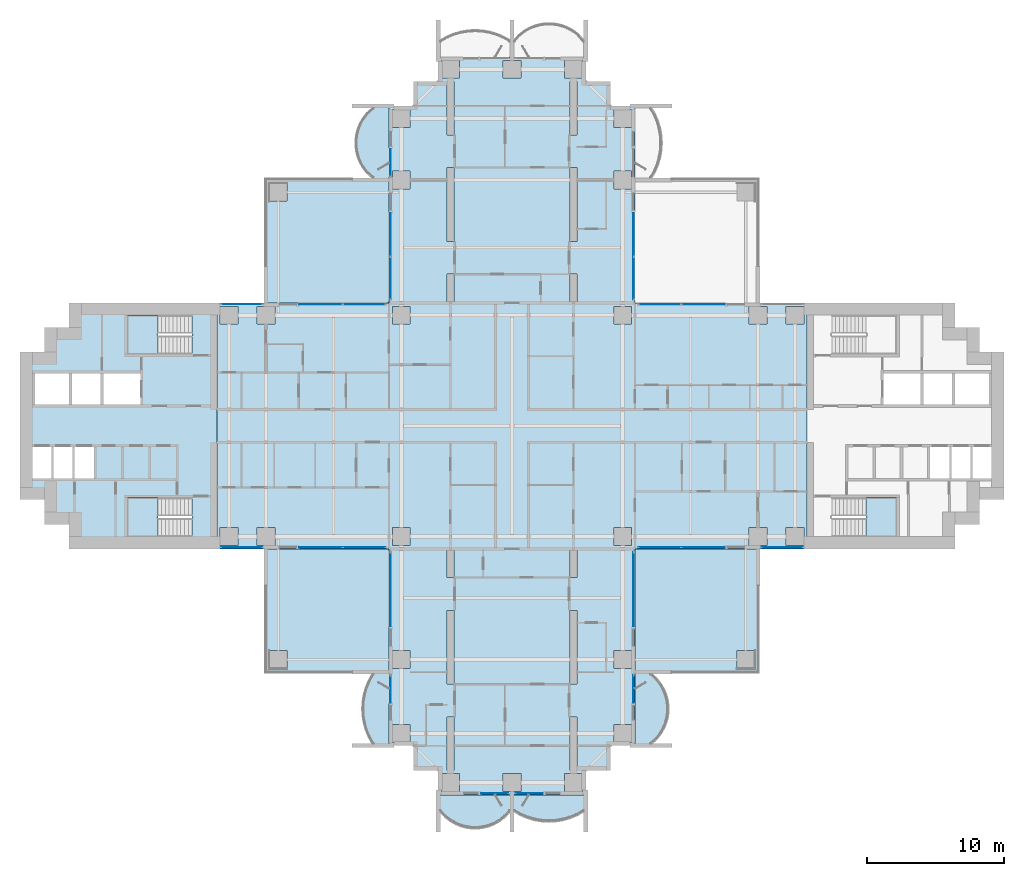
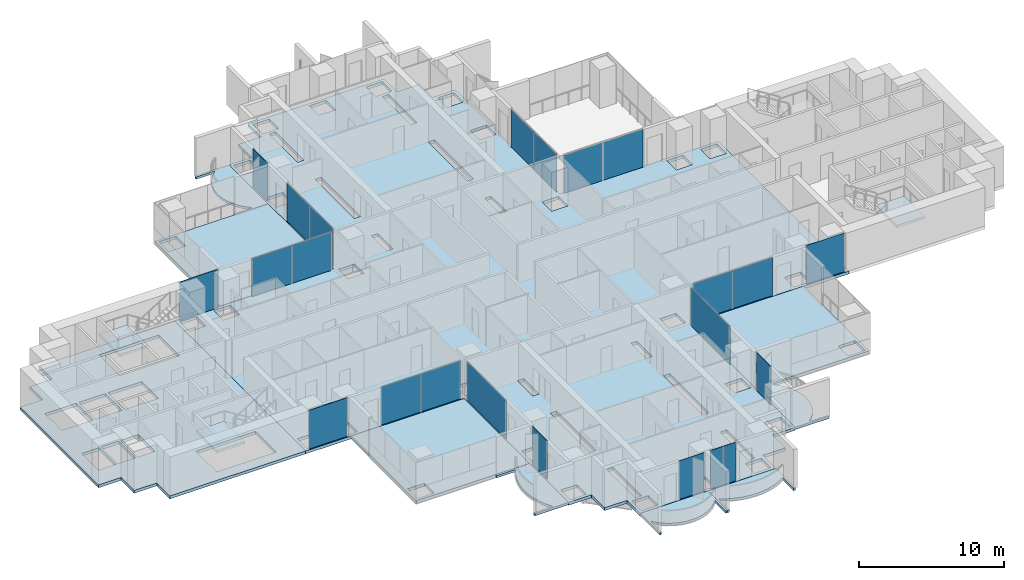
# One storey, part 8 of 21: 22 plates, 13 slabs, 19 elements without a shape of their own.
"""IFC4 building model written with IfcOpenShell, lengths in metres."""

from ifc_helpers import new_model, si_unit, direction, frame, origin, origin_2d, place, context, subcontext, project, spatial, polyline, rectangle, outline, extrude, material, layer, layer_set, type_object, element, aggregate, save


model = new_model("IFC4")

# Units and contexts
model_context = context("Model", 3, precision=1e-05, world=origin(), true_north=direction((0.0, 1.0)))
body_context = subcontext(model_context, "Body", "Model", "MODEL_VIEW")
ifc_project = project(units=[si_unit("LENGTHUNIT", "METRE"), si_unit("AREAUNIT", "SQUARE_METRE"), si_unit("VOLUMEUNIT", "CUBIC_METRE"), si_unit("PLANEANGLEUNIT", "RADIAN"), si_unit("MASSUNIT", "GRAM", prefix="KILO")], contexts=[model_context])

# Site, building, storey
site_placement = place(None, origin())
site = spatial("IfcSite", under=ifc_project, at=site_placement, CompositionType="ELEMENT")
building_placement = place(site_placement, origin())
building = spatial("IfcBuilding", under=site, at=building_placement, Name="Perihelion Cross Residences", CompositionType="ELEMENT")
storey_placement = place(building_placement, frame((0.0, 0.0, 40.0)))
storey = spatial("IfcBuildingStorey", under=building, at=storey_placement, Name="L06", CompositionType="ELEMENT", Elevation=40.0)

# Slabs
ifc_material_1 = material(Name="Concrete C40/50", Category="concrete")
ifc_layer_1 = layer(ifc_material_1, 0.199951171875)
ifc_layer_set_1 = layer_set([ifc_layer_1], Name="Balcony slab 200")
slab_type_1 = type_object("IfcSlabType", Name="Balcony slab 200", PredefinedType="FLOOR", material=ifc_layer_set_1)
slab_1_placement = place(storey_placement, frame((0.0, 0.0, -0.199951171875)))
element("IfcSlab", 1, at=slab_1_placement, inside=storey, type_object=slab_type_1, Name="Slab BK1 L06 north side west bay 1 balcony", PredefinedType="FLOOR", context=body_context, shape_type="SweptSolid", body=[
    extrude(outline(polyline([(-9.0, 23.39990234375), (-9.0, 18.0), (-11.699951171875, 18.0), (-11.699951171875, 18.14990234375), (-10.199951171875, 18.14990234375), (-10.622314453125, 18.542236328125), (-10.924072265625, 18.9345703125), (-11.143310546875, 19.326904296875), (-11.29736328125, 19.71923828125), (-11.39599609375, 20.111572265625), (-11.444091796875, 20.50390625), (-11.444091796875, 20.896240234375), (-11.39599609375, 21.28857421875), (-11.29736328125, 21.6806640625), (-11.143310546875, 22.072998046875), (-10.924072265625, 22.46533203125), (-10.622314453125, 22.857666015625), (-10.199951171875, 23.25), (-11.699951171875, 23.25), (-11.699951171875, 23.39990234375), (-9.0, 23.39990234375)])), origin(), (0.0, 0.0, 1.0), 0.199951171875),
])
slab_2_placement = place(storey_placement, frame((0.0, 0.0, -0.199951171875)))
element("IfcSlab", 2, at=slab_2_placement, inside=storey, type_object=slab_type_1, Name="Slab BK1 L06 south side west bay 2 balcony", PredefinedType="FLOOR", context=body_context, shape_type="SweptSolid", body=[
    extrude(outline(polyline([(-9.0, -18.0), (-9.0, -23.39990234375), (-11.699951171875, -23.39990234375), (-11.699951171875, -23.25), (-10.199951171875, -23.25), (-10.4853515625, -22.739990234375), (-10.694580078125, -22.22998046875), (-10.838134765625, -21.719970703125), (-10.92236328125, -21.2099609375), (-10.949951171875, -20.699951171875), (-10.92236328125, -20.18994140625), (-10.838134765625, -19.679931640625), (-10.694580078125, -19.169921875), (-10.4853515625, -18.659912109375), (-10.199951171875, -18.14990234375), (-11.699951171875, -18.14990234375), (-11.699951171875, -18.0), (-9.0, -18.0)])), origin(), (0.0, 0.0, 1.0), 0.199951171875),
])
slab_3_placement = place(storey_placement, frame((0.0, 0.0, -0.199951171875)))
element("IfcSlab", 3, at=slab_3_placement, inside=storey, type_object=slab_type_1, Name="Slab BK1 L06 south tip south bay 1 balcony", PredefinedType="FLOOR", context=body_context, shape_type="SweptSolid", body=[
    extrude(outline(polyline([(-5.39990234375, -27.0), (0.0, -27.0), (0.0, -29.699951171875), (-0.14990234375, -29.699951171875), (-0.14990234375, -28.199951171875), (-0.542236328125, -28.622314453125), (-0.9345703125, -28.924072265625), (-1.326904296875, -29.143310546875), (-1.71923828125, -29.29736328125), (-2.111572265625, -29.39599609375), (-2.50390625, -29.444091796875), (-2.896240234375, -29.444091796875), (-3.28857421875, -29.39599609375), (-3.6806640625, -29.29736328125), (-4.072998046875, -29.143310546875), (-4.46533203125, -28.924072265625), (-4.857666015625, -28.622314453125), (-5.25, -28.199951171875), (-5.25, -29.699951171875), (-5.39990234375, -29.699951171875), (-5.39990234375, -27.0)])), origin(), (0.0, 0.0, 1.0), 0.199951171875),
])
slab_4_placement = place(storey_placement, frame((0.0, 0.0, -0.199951171875)))
element("IfcSlab", 4, at=slab_4_placement, inside=storey, type_object=slab_type_1, Name="Slab BK1 L06 south tip south bay 2 balcony", PredefinedType="FLOOR", context=body_context, shape_type="SweptSolid", body=[
    extrude(outline(polyline([(0.0, -27.0), (5.39990234375, -27.0), (5.39990234375, -29.699951171875), (5.25, -29.699951171875), (5.25, -28.199951171875), (4.739990234375, -28.4853515625), (4.22998046875, -28.694580078125), (3.719970703125, -28.838134765625), (3.2099609375, -28.92236328125), (2.699951171875, -28.949951171875), (2.18994140625, -28.92236328125), (1.679931640625, -28.838134765625), (1.169921875, -28.694580078125), (0.659912109375, -28.4853515625), (0.14990234375, -28.199951171875), (0.14990234375, -29.699951171875), (0.0, -29.699951171875), (0.0, -27.0)])), origin(), (0.0, 0.0, 1.0), 0.199951171875),
])
slab_5_placement = place(storey_placement, frame((0.0, 0.0, -0.199951171875)))
element("IfcSlab", 5, at=slab_5_placement, inside=storey, type_object=slab_type_1, Name="Slab BK1 L06 south side east bay 1 balcony", PredefinedType="FLOOR", context=body_context, shape_type="SweptSolid", body=[
    extrude(outline(polyline([(9.0, -23.39990234375), (9.0, -18.0), (11.699951171875, -18.0), (11.699951171875, -18.14990234375), (10.199951171875, -18.14990234375), (10.622314453125, -18.542236328125), (10.924072265625, -18.9345703125), (11.143310546875, -19.326904296875), (11.29736328125, -19.71923828125), (11.39599609375, -20.111572265625), (11.444091796875, -20.50390625), (11.444091796875, -20.896240234375), (11.39599609375, -21.28857421875), (11.29736328125, -21.6806640625), (11.143310546875, -22.072998046875), (10.924072265625, -22.46533203125), (10.622314453125, -22.857666015625), (10.199951171875, -23.25), (11.699951171875, -23.25), (11.699951171875, -23.39990234375), (9.0, -23.39990234375)])), origin(), (0.0, 0.0, 1.0), 0.199951171875),
])

# Curtain wall, plates
ifc_material_2 = material(Name="Bronze anodised aluminium, tinted glazing", Category="aluminium")
curtain_wall_type = type_object("IfcCurtainWallType", Name="CW1", PredefinedType="NOTDEFINED", material=ifc_material_2)
curtain_wall_1_placement = place(storey_placement, origin())
curtain_wall_1 = element("IfcCurtainWall", 6, at=curtain_wall_1_placement, inside=storey, type_object=curtain_wall_type, Name="Curtain wall CW1 L06 east side north bay 2", PredefinedType="NOTDEFINED")
ifc_material_3 = material(Name="Tinted laminated glass", Category="glass")
ifc_layer_2 = layer(ifc_material_3, 0.028076171875)
ifc_layer_set_2 = layer_set([ifc_layer_2], Name="CW1 panel")
plate_type = type_object("IfcPlateType", Name="CW1 panel", PredefinedType="CURTAIN_PANEL", material=ifc_layer_set_2)
plate_1_placement = place(storey_placement, frame((13.9775390625, 8.89990234375, 0.0), z_axis=(0.0, 0.0, 1.0), x_axis=(-1.0, 0.0, 0.0)))
plate_1 = element("IfcPlate", 7, at=plate_1_placement, type_object=plate_type, Name="CW1 panel 1", PredefinedType="CURTAIN_PANEL", context=body_context, shape_type="SweptSolid", body=[
    extrude(rectangle(XDim=3.14501953125, YDim=0.028076171875, at=origin_2d()), origin(), (0.0, 0.0, 1.0), 3.18994140625),
])
plate_2_placement = place(storey_placement, frame((10.802490234375, 8.89990234375, 0.0), z_axis=(0.0, 0.0, 1.0), x_axis=(-1.0, 0.0, 0.0)))
plate_2 = element("IfcPlate", 8, at=plate_2_placement, type_object=plate_type, Name="CW1 panel 2", PredefinedType="CURTAIN_PANEL", context=body_context, shape_type="SweptSolid", body=[
    extrude(rectangle(XDim=3.0849609375, YDim=0.028076171875, at=origin_2d()), origin(), (0.0, 0.0, 1.0), 3.18994140625),
])
aggregate(curtain_wall_1, [plate_1, plate_2])

curtain_wall_2_placement = place(storey_placement, origin())
curtain_wall_2 = element("IfcCurtainWall", 9, at=curtain_wall_2_placement, inside=storey, type_object=curtain_wall_type, Name="Curtain wall CW1 L06 north side east bay 1", PredefinedType="NOTDEFINED")
plate_3_placement = place(storey_placement, frame((8.89990234375, 10.802490234375, 0.0), z_axis=(0.0, 0.0, 1.0), x_axis=(0.0, 1.0, 0.0)))
plate_3 = element("IfcPlate", 10, at=plate_3_placement, type_object=plate_type, Name="CW1 panel 1", PredefinedType="CURTAIN_PANEL", context=body_context, shape_type="SweptSolid", body=[
    extrude(rectangle(XDim=3.0849609375, YDim=0.028076171875, at=origin_2d()), origin(), (0.0, 0.0, 1.0), 3.18994140625),
])
plate_4_placement = place(storey_placement, frame((8.89990234375, 13.9775390625, 0.0), z_axis=(0.0, 0.0, 1.0), x_axis=(0.0, 1.0, 0.0)))
plate_4 = element("IfcPlate", 11, at=plate_4_placement, type_object=plate_type, Name="CW1 panel 2", PredefinedType="CURTAIN_PANEL", context=body_context, shape_type="SweptSolid", body=[
    extrude(rectangle(XDim=3.14501953125, YDim=0.028076171875, at=origin_2d()), origin(), (0.0, 0.0, 1.0), 3.18994140625),
])
aggregate(curtain_wall_2, [plate_3, plate_4])

# Curtain wall, plate
curtain_wall_3_placement = place(storey_placement, origin())
curtain_wall_3 = element("IfcCurtainWall", 12, at=curtain_wall_3_placement, inside=storey, type_object=curtain_wall_type, Name="Curtain wall CW1 L06 north side west bay 1", PredefinedType="NOTDEFINED")
plate_5_placement = place(storey_placement, frame((-8.89990234375, 19.2548828125, 0.0), z_axis=(0.0, 0.0, 1.0), x_axis=(0.0, -1.0, 0.0)))
plate_5 = element("IfcPlate", 13, at=plate_5_placement, type_object=plate_type, Name="CW1 panel 1", PredefinedType="CURTAIN_PANEL", context=body_context, shape_type="SweptSolid", body=[
    extrude(rectangle(XDim=1.989990234375, YDim=0.028076171875, at=origin_2d()), origin(), (0.0, 0.0, 1.0), 3.25),
])
aggregate(curtain_wall_3, [plate_5])

# Curtain wall, plates
curtain_wall_4_placement = place(storey_placement, origin())
curtain_wall_4 = element("IfcCurtainWall", 14, at=curtain_wall_4_placement, inside=storey, type_object=curtain_wall_type, Name="Curtain wall CW1 L06 north side west bay 2", PredefinedType="NOTDEFINED")
plate_6_placement = place(storey_placement, frame((-8.89990234375, 13.9775390625, 0.0), z_axis=(0.0, 0.0, 1.0), x_axis=(0.0, -1.0, 0.0)))
plate_6 = element("IfcPlate", 15, at=plate_6_placement, type_object=plate_type, Name="CW1 panel 1", PredefinedType="CURTAIN_PANEL", context=body_context, shape_type="SweptSolid", body=[
    extrude(rectangle(XDim=3.14501953125, YDim=0.028076171875, at=origin_2d()), origin(), (0.0, 0.0, 1.0), 3.18994140625),
])
plate_7_placement = place(storey_placement, frame((-8.89990234375, 10.802490234375, 0.0), z_axis=(0.0, 0.0, 1.0), x_axis=(0.0, -1.0, 0.0)))
plate_7 = element("IfcPlate", 16, at=plate_7_placement, type_object=plate_type, Name="CW1 panel 2", PredefinedType="CURTAIN_PANEL", context=body_context, shape_type="SweptSolid", body=[
    extrude(rectangle(XDim=3.0849609375, YDim=0.028076171875, at=origin_2d()), origin(), (0.0, 0.0, 1.0), 3.18994140625),
])
aggregate(curtain_wall_4, [plate_6, plate_7])

curtain_wall_5_placement = place(storey_placement, origin())
curtain_wall_5 = element("IfcCurtainWall", 17, at=curtain_wall_5_placement, inside=storey, type_object=curtain_wall_type, Name="Curtain wall CW1 L06 west side north bay 1", PredefinedType="NOTDEFINED")
plate_8_placement = place(storey_placement, frame((-10.802490234375, 8.89990234375, 0.0), z_axis=(0.0, 0.0, 1.0), x_axis=(-1.0, 0.0, 0.0)))
plate_8 = element("IfcPlate", 18, at=plate_8_placement, type_object=plate_type, Name="CW1 panel 1", PredefinedType="CURTAIN_PANEL", context=body_context, shape_type="SweptSolid", body=[
    extrude(rectangle(XDim=3.0849609375, YDim=0.028076171875, at=origin_2d()), origin(), (0.0, 0.0, 1.0), 3.18994140625),
])
plate_9_placement = place(storey_placement, frame((-13.9775390625, 8.89990234375, 0.0), z_axis=(0.0, 0.0, 1.0), x_axis=(-1.0, 0.0, 0.0)))
plate_9 = element("IfcPlate", 19, at=plate_9_placement, type_object=plate_type, Name="CW1 panel 2", PredefinedType="CURTAIN_PANEL", context=body_context, shape_type="SweptSolid", body=[
    extrude(rectangle(XDim=3.14501953125, YDim=0.028076171875, at=origin_2d()), origin(), (0.0, 0.0, 1.0), 3.18994140625),
])
aggregate(curtain_wall_5, [plate_8, plate_9])

# Curtain wall, plate
curtain_wall_6_placement = place(storey_placement, origin())
curtain_wall_6 = element("IfcCurtainWall", 20, at=curtain_wall_6_placement, inside=storey, type_object=curtain_wall_type, Name="Curtain wall CW1 L06 west side north bay 2", PredefinedType="NOTDEFINED")
plate_10_placement = place(storey_placement, frame((-19.77490234375, 8.89990234375, 0.0), z_axis=(0.0, 0.0, 1.0), x_axis=(-1.0, 0.0, 0.0)))
plate_10 = element("IfcPlate", 21, at=plate_10_placement, type_object=plate_type, Name="CW1 panel 1", PredefinedType="CURTAIN_PANEL", context=body_context, shape_type="SweptSolid", body=[
    extrude(rectangle(XDim=3.030029296875, YDim=0.028076171875, at=origin_2d()), origin(), (0.0, 0.0, 1.0), 3.25),
])
aggregate(curtain_wall_6, [plate_10])

curtain_wall_7_placement = place(storey_placement, origin())
curtain_wall_7 = element("IfcCurtainWall", 22, at=curtain_wall_7_placement, inside=storey, type_object=curtain_wall_type, Name="Curtain wall CW1 L06 west side south bay 1", PredefinedType="NOTDEFINED")
plate_11_placement = place(storey_placement, frame((-19.77490234375, -8.89990234375, 0.0), z_axis=(0.0, 0.0, 1.0), x_axis=(1.0, 0.0, 0.0)))
plate_11 = element("IfcPlate", 23, at=plate_11_placement, type_object=plate_type, Name="CW1 panel 1", PredefinedType="CURTAIN_PANEL", context=body_context, shape_type="SweptSolid", body=[
    extrude(rectangle(XDim=3.030029296875, YDim=0.028076171875, at=origin_2d()), origin(), (0.0, 0.0, 1.0), 3.25),
])
aggregate(curtain_wall_7, [plate_11])

# Curtain wall, plates
curtain_wall_8_placement = place(storey_placement, origin())
curtain_wall_8 = element("IfcCurtainWall", 24, at=curtain_wall_8_placement, inside=storey, type_object=curtain_wall_type, Name="Curtain wall CW1 L06 west side south bay 2", PredefinedType="NOTDEFINED")
plate_12_placement = place(storey_placement, frame((-13.9775390625, -8.89990234375, 0.0), z_axis=(0.0, 0.0, 1.0), x_axis=(1.0, 0.0, 0.0)))
plate_12 = element("IfcPlate", 25, at=plate_12_placement, type_object=plate_type, Name="CW1 panel 1", PredefinedType="CURTAIN_PANEL", context=body_context, shape_type="SweptSolid", body=[
    extrude(rectangle(XDim=3.14501953125, YDim=0.028076171875, at=origin_2d()), origin(), (0.0, 0.0, 1.0), 3.18994140625),
])
plate_13_placement = place(storey_placement, frame((-10.802490234375, -8.89990234375, 0.0), z_axis=(0.0, 0.0, 1.0), x_axis=(1.0, 0.0, 0.0)))
plate_13 = element("IfcPlate", 26, at=plate_13_placement, type_object=plate_type, Name="CW1 panel 2", PredefinedType="CURTAIN_PANEL", context=body_context, shape_type="SweptSolid", body=[
    extrude(rectangle(XDim=3.0849609375, YDim=0.028076171875, at=origin_2d()), origin(), (0.0, 0.0, 1.0), 3.18994140625),
])
aggregate(curtain_wall_8, [plate_12, plate_13])

# Curtain wall, plate
curtain_wall_9_placement = place(storey_placement, origin())
curtain_wall_9 = element("IfcCurtainWall", 27, at=curtain_wall_9_placement, inside=storey, type_object=curtain_wall_type, Name="Curtain wall CW1 L06 south side west bay 1", PredefinedType="NOTDEFINED")
plate_14_placement = place(storey_placement, frame((-8.89990234375, -11.955078125, 0.0), z_axis=(0.0, 0.0, 1.0), x_axis=(0.0, -1.0, 0.0)))
plate_14 = element("IfcPlate", 28, at=plate_14_placement, type_object=plate_type, Name="CW1 panel 1", PredefinedType="CURTAIN_PANEL", context=body_context, shape_type="SweptSolid", body=[
    extrude(rectangle(XDim=5.389892578125, YDim=0.028076171875, at=origin_2d()), origin(), (0.0, 0.0, 1.0), 3.18994140625),
])
aggregate(curtain_wall_9, [plate_14])

curtain_wall_10_placement = place(storey_placement, origin())
curtain_wall_10 = element("IfcCurtainWall", 29, at=curtain_wall_10_placement, inside=storey, type_object=curtain_wall_type, Name="Curtain wall CW1 L06 south side west bay 2", PredefinedType="NOTDEFINED")
plate_15_placement = place(storey_placement, frame((-8.89990234375, -19.2548828125, 0.0), z_axis=(0.0, 0.0, 1.0), x_axis=(0.0, -1.0, 0.0)))
plate_15 = element("IfcPlate", 30, at=plate_15_placement, type_object=plate_type, Name="CW1 panel 1", PredefinedType="CURTAIN_PANEL", context=body_context, shape_type="SweptSolid", body=[
    extrude(rectangle(XDim=1.989990234375, YDim=0.028076171875, at=origin_2d()), origin(), (0.0, 0.0, 1.0), 3.25),
])
aggregate(curtain_wall_10, [plate_15])

curtain_wall_11_placement = place(storey_placement, origin())
curtain_wall_11 = element("IfcCurtainWall", 31, at=curtain_wall_11_placement, inside=storey, type_object=curtain_wall_type, Name="Curtain wall CW1 L06 south tip south bay 1", PredefinedType="NOTDEFINED")
plate_16_placement = place(storey_placement, frame((-1.2548828125, -26.89990234375, 0.0), z_axis=(0.0, 0.0, 1.0), x_axis=(1.0, 0.0, 0.0)))
plate_16 = element("IfcPlate", 32, at=plate_16_placement, type_object=plate_type, Name="CW1 panel 1", PredefinedType="CURTAIN_PANEL", context=body_context, shape_type="SweptSolid", body=[
    extrude(rectangle(XDim=1.989990234375, YDim=0.028076171875, at=origin_2d()), origin(), (0.0, 0.0, 1.0), 3.25),
])
aggregate(curtain_wall_11, [plate_16])

curtain_wall_12_placement = place(storey_placement, origin())
curtain_wall_12 = element("IfcCurtainWall", 33, at=curtain_wall_12_placement, inside=storey, type_object=curtain_wall_type, Name="Curtain wall CW1 L06 south tip south bay 2", PredefinedType="NOTDEFINED")
plate_17_placement = place(storey_placement, frame((1.2548828125, -26.89990234375, 0.0), z_axis=(0.0, 0.0, 1.0), x_axis=(1.0, 0.0, 0.0)))
plate_17 = element("IfcPlate", 34, at=plate_17_placement, type_object=plate_type, Name="CW1 panel 1", PredefinedType="CURTAIN_PANEL", context=body_context, shape_type="SweptSolid", body=[
    extrude(rectangle(XDim=1.989990234375, YDim=0.028076171875, at=origin_2d()), origin(), (0.0, 0.0, 1.0), 3.25),
])
aggregate(curtain_wall_12, [plate_17])

curtain_wall_13_placement = place(storey_placement, origin())
curtain_wall_13 = element("IfcCurtainWall", 35, at=curtain_wall_13_placement, inside=storey, type_object=curtain_wall_type, Name="Curtain wall CW1 L06 south side east bay 1", PredefinedType="NOTDEFINED")
plate_18_placement = place(storey_placement, frame((8.89990234375, -19.2548828125, 0.0), z_axis=(0.0, 0.0, 1.0), x_axis=(0.0, 1.0, 0.0)))
plate_18 = element("IfcPlate", 36, at=plate_18_placement, type_object=plate_type, Name="CW1 panel 1", PredefinedType="CURTAIN_PANEL", context=body_context, shape_type="SweptSolid", body=[
    extrude(rectangle(XDim=1.989990234375, YDim=0.028076171875, at=origin_2d()), origin(), (0.0, 0.0, 1.0), 3.25),
])
aggregate(curtain_wall_13, [plate_18])

curtain_wall_14_placement = place(storey_placement, origin())
curtain_wall_14 = element("IfcCurtainWall", 37, at=curtain_wall_14_placement, inside=storey, type_object=curtain_wall_type, Name="Curtain wall CW1 L06 south side east bay 2", PredefinedType="NOTDEFINED")
plate_19_placement = place(storey_placement, frame((8.89990234375, -11.955078125, 0.0), z_axis=(0.0, 0.0, 1.0), x_axis=(0.0, 1.0, 0.0)))
plate_19 = element("IfcPlate", 38, at=plate_19_placement, type_object=plate_type, Name="CW1 panel 1", PredefinedType="CURTAIN_PANEL", context=body_context, shape_type="SweptSolid", body=[
    extrude(rectangle(XDim=5.389892578125, YDim=0.028076171875, at=origin_2d()), origin(), (0.0, 0.0, 1.0), 3.18994140625),
])
aggregate(curtain_wall_14, [plate_19])

# Curtain wall, plates
curtain_wall_15_placement = place(storey_placement, origin())
curtain_wall_15 = element("IfcCurtainWall", 39, at=curtain_wall_15_placement, inside=storey, type_object=curtain_wall_type, Name="Curtain wall CW1 L06 east side south bay 1", PredefinedType="NOTDEFINED")
plate_20_placement = place(storey_placement, frame((10.802490234375, -8.89990234375, 0.0), z_axis=(0.0, 0.0, 1.0), x_axis=(1.0, 0.0, 0.0)))
plate_20 = element("IfcPlate", 40, at=plate_20_placement, type_object=plate_type, Name="CW1 panel 1", PredefinedType="CURTAIN_PANEL", context=body_context, shape_type="SweptSolid", body=[
    extrude(rectangle(XDim=3.0849609375, YDim=0.028076171875, at=origin_2d()), origin(), (0.0, 0.0, 1.0), 3.18994140625),
])
plate_21_placement = place(storey_placement, frame((13.9775390625, -8.89990234375, 0.0), z_axis=(0.0, 0.0, 1.0), x_axis=(1.0, 0.0, 0.0)))
plate_21 = element("IfcPlate", 41, at=plate_21_placement, type_object=plate_type, Name="CW1 panel 2", PredefinedType="CURTAIN_PANEL", context=body_context, shape_type="SweptSolid", body=[
    extrude(rectangle(XDim=3.14501953125, YDim=0.028076171875, at=origin_2d()), origin(), (0.0, 0.0, 1.0), 3.18994140625),
])
aggregate(curtain_wall_15, [plate_20, plate_21])

# Curtain wall, plate
curtain_wall_16_placement = place(storey_placement, origin())
curtain_wall_16 = element("IfcCurtainWall", 42, at=curtain_wall_16_placement, inside=storey, type_object=curtain_wall_type, Name="Curtain wall CW1 L06 east side south bay 2", PredefinedType="NOTDEFINED")
plate_22_placement = place(storey_placement, frame((19.77490234375, -8.89990234375, 0.0), z_axis=(0.0, 0.0, 1.0), x_axis=(1.0, 0.0, 0.0)))
plate_22 = element("IfcPlate", 43, at=plate_22_placement, type_object=plate_type, Name="CW1 panel 1", PredefinedType="CURTAIN_PANEL", context=body_context, shape_type="SweptSolid", body=[
    extrude(rectangle(XDim=3.030029296875, YDim=0.028076171875, at=origin_2d()), origin(), (0.0, 0.0, 1.0), 3.25),
])
aggregate(curtain_wall_16, [plate_22])

# Slabs
ifc_material_4 = material(Name="Concrete C40/50", Category="concrete")
ifc_layer_3 = layer(ifc_material_4, 0.25)
ifc_layer_set_3 = layer_set([ifc_layer_3], Name="Core floor slab 250")
slab_type_2 = type_object("IfcSlabType", Name="Core floor slab 250", PredefinedType="FLOOR", material=ifc_layer_set_3)
slab_6_placement = place(storey_placement, frame((0.0, 0.0, -0.25)))
element("IfcSlab", 44, at=slab_6_placement, inside=storey, type_object=slab_type_2, Name="West core floor slab", PredefinedType="FLOOR", context=body_context, shape_type="SweptSolid", body=[
    extrude(outline(polyline([(-32.39990234375, 7.199951171875), (-34.199951171875, 7.199951171875), (-34.199951171875, 5.39990234375), (-36.0, 5.39990234375), (-36.0, -5.39990234375), (-34.199951171875, -5.39990234375), (-34.199951171875, -7.199951171875), (-32.39990234375, -7.199951171875), (-32.39990234375, -9.0), (-21.60009765625, -9.0), (-21.60009765625, 9.0), (-32.39990234375, 9.0), (-32.39990234375, 7.199951171875)]), holes=[polyline([(-23.405029296875, -8.10009765625), (-28.14990234375, -8.10009765625), (-28.14990234375, -5.25), (-23.405029296875, -5.25), (-23.405029296875, -8.10009765625)]), polyline([(-30.60009765625, -1.550048828125), (-30.60009765625, -3.85009765625), (-32.0, -3.85009765625), (-32.0, -1.550048828125), (-30.60009765625, -1.550048828125)]), polyline([(-32.14990234375, -1.550048828125), (-32.14990234375, -3.85009765625), (-33.550048828125, -3.85009765625), (-33.550048828125, -1.550048828125), (-32.14990234375, -1.550048828125)]), polyline([(-33.699951171875, -1.550048828125), (-33.699951171875, -3.85009765625), (-35.10009765625, -3.85009765625), (-35.10009765625, -1.550048828125), (-33.699951171875, -1.550048828125)]), polyline([(-27.199951171875, 3.85009765625), (-27.199951171875, 1.550048828125), (-29.89990234375, 1.550048828125), (-29.89990234375, 3.85009765625), (-27.199951171875, 3.85009765625)]), polyline([(-30.10009765625, 3.85009765625), (-30.10009765625, 1.550048828125), (-32.199951171875, 1.550048828125), (-32.199951171875, 3.85009765625), (-30.10009765625, 3.85009765625)]), polyline([(-32.39990234375, 3.85009765625), (-32.39990234375, 1.550048828125), (-34.89990234375, 1.550048828125), (-34.89990234375, 3.85009765625), (-32.39990234375, 3.85009765625)]), polyline([(-23.405029296875, 5.25), (-28.14990234375, 5.25), (-28.14990234375, 8.10009765625), (-23.405029296875, 8.10009765625), (-23.405029296875, 5.25)])]), origin(), (0.0, 0.0, 1.0), 0.25),
])
ifc_material_5 = material(Name="Concrete C40/50", Category="concrete")
ifc_layer_4 = layer(ifc_material_5, 0.25)
ifc_layer_set_4 = layer_set([ifc_layer_4], Name="Corner terrace slab")
slab_type_3 = type_object("IfcSlabType", Name="Corner terrace slab", PredefinedType="FLOOR", material=ifc_layer_set_4)
slab_7_placement = place(storey_placement, frame((0.0, 0.0, -0.25)))
element("IfcSlab", 45, at=slab_7_placement, inside=storey, type_object=slab_type_3, Name="Slab BK2 L06 pocket north-west", PredefinedType="FLOOR", context=body_context, shape_type="SweptSolid", body=[
    extrude(outline(polyline([(-9.0, 9.0), (-9.0, 18.0), (-18.0, 18.0), (-18.0, 9.0), (-9.0, 9.0)]), holes=[polyline([(-17.7900390625, 16.409912109375), (-17.7900390625, 17.7900390625), (-16.449951171875, 17.7900390625), (-16.449951171875, 16.449951171875), (-17.75, 16.449951171875), (-17.75, 16.409912109375), (-17.7900390625, 16.409912109375)])]), origin(), (0.0, 0.0, 1.0), 0.25),
])
slab_8_placement = place(storey_placement, frame((0.0, 0.0, -0.25)))
element("IfcSlab", 46, at=slab_8_placement, inside=storey, type_object=slab_type_3, Name="Slab BK2 L06 pocket south-west", PredefinedType="FLOOR", context=body_context, shape_type="SweptSolid", body=[
    extrude(outline(polyline([(-9.0, -18.0), (-9.0, -9.0), (-18.0, -9.0), (-18.0, -18.0), (-9.0, -18.0)]), holes=[polyline([(-17.7900390625, -16.409912109375), (-17.75, -16.409912109375), (-17.75, -16.449951171875), (-16.449951171875, -16.449951171875), (-16.449951171875, -17.7900390625), (-17.7900390625, -17.7900390625), (-17.7900390625, -16.409912109375)])]), origin(), (0.0, 0.0, 1.0), 0.25),
])
slab_9_placement = place(storey_placement, frame((0.0, 0.0, -0.25)))
element("IfcSlab", 47, at=slab_9_placement, inside=storey, type_object=slab_type_3, Name="Slab BK2 L06 pocket south-east", PredefinedType="FLOOR", context=body_context, shape_type="SweptSolid", body=[
    extrude(outline(polyline([(18.0, -18.0), (18.0, -9.0), (9.0, -9.0), (9.0, -18.0), (18.0, -18.0)]), holes=[polyline([(16.449951171875, -17.7900390625), (16.449951171875, -16.449951171875), (17.75, -16.449951171875), (17.75, -16.409912109375), (17.7900390625, -16.409912109375), (17.7900390625, -17.7900390625), (16.449951171875, -17.7900390625)])]), origin(), (0.0, 0.0, 1.0), 0.25),
])

# Stair, slab
ifc_material_6 = material(Name="Concrete C40/50", Category="concrete")
stair_type = type_object("IfcStairType", Name="Exit stair, half-turn", PredefinedType="HALF_TURN_STAIR", material=ifc_material_6)
stair_1_placement = place(storey_placement, origin())
stair_1 = element("IfcStair", 48, at=stair_1_placement, inside=storey, type_object=stair_type, Name="L06 East core exit stair 2", PredefinedType="HALF_TURN_STAIR")
ifc_material_7 = material(Name="Concrete C40/50", Category="concrete")
ifc_layer_5 = layer(ifc_material_7, 0.199951171875)
ifc_layer_set_5 = layer_set([ifc_layer_5], Name="Exit stair landing 200")
slab_type_4 = type_object("IfcSlabType", Name="Exit stair landing 200", PredefinedType="LANDING", material=ifc_layer_set_5)
slab_10_placement = place(storey_placement, frame((0.0, 0.0, 1.550048828125)))
slab_10 = element("IfcSlab", 49, at=slab_10_placement, type_object=slab_type_4, Name="ST-E2 landing 1", PredefinedType="LANDING", context=body_context, shape_type="SweptSolid", body=[
    extrude(outline(polyline([(25.919921875, -8.10009765625), (28.14990234375, -8.10009765625), (28.14990234375, -5.25), (25.919921875, -5.25), (25.919921875, -8.10009765625)])), origin(), (0.0, 0.0, 1.0), 0.199951171875),
])
aggregate(stair_1, [slab_10])

stair_2_placement = place(storey_placement, origin())
stair_2 = element("IfcStair", 50, at=stair_2_placement, inside=storey, type_object=stair_type, Name="L06 West core exit stair 1", PredefinedType="HALF_TURN_STAIR")
slab_11_placement = place(storey_placement, frame((0.0, 0.0, 1.550048828125)))
slab_11 = element("IfcSlab", 51, at=slab_11_placement, type_object=slab_type_4, Name="ST-W1 landing 1", PredefinedType="LANDING", context=body_context, shape_type="SweptSolid", body=[
    extrude(outline(polyline([(-25.919921875, 8.10009765625), (-28.14990234375, 8.10009765625), (-28.14990234375, 5.25), (-25.919921875, 5.25), (-25.919921875, 8.10009765625)])), origin(), (0.0, 0.0, 1.0), 0.199951171875),
])
aggregate(stair_2, [slab_11])

stair_3_placement = place(storey_placement, origin())
stair_3 = element("IfcStair", 52, at=stair_3_placement, inside=storey, type_object=stair_type, Name="L06 West core exit stair 2", PredefinedType="HALF_TURN_STAIR")
slab_12_placement = place(storey_placement, frame((0.0, 0.0, 1.550048828125)))
slab_12 = element("IfcSlab", 53, at=slab_12_placement, type_object=slab_type_4, Name="ST-W2 landing 1", PredefinedType="LANDING", context=body_context, shape_type="SweptSolid", body=[
    extrude(outline(polyline([(-25.919921875, -5.25), (-28.14990234375, -5.25), (-28.14990234375, -8.10009765625), (-25.919921875, -8.10009765625), (-25.919921875, -5.25)])), origin(), (0.0, 0.0, 1.0), 0.199951171875),
])
aggregate(stair_3, [slab_12])

# Slab
ifc_material_8 = material(Name="Concrete C50/60", Category="concrete")
ifc_layer_6 = layer(ifc_material_8, 0.25)
ifc_layer_set_6 = layer_set([ifc_layer_6], Name="Residential floor post-tensioned slab concrete C50/60")
slab_type_5 = type_object("IfcSlabType", Name="Residential floor post-tensioned slab concrete C50/60", PredefinedType="FLOOR", material=ifc_layer_set_6)
slab_13_placement = place(storey_placement, frame((0.0, 0.0, -0.25)))
element("IfcSlab", 54, at=slab_13_placement, inside=storey, type_object=slab_type_5, Name="Slab SL8 L06 1 no. 1", PredefinedType="FLOOR", context=body_context, shape_type="SweptSolid", body=[
    extrude(outline(polyline([(-9.0, 9.0), (-9.0, 23.39990234375), (-7.199951171875, 23.39990234375), (-7.199951171875, 25.199951171875), (-5.39990234375, 25.199951171875), (-5.39990234375, 27.0), (5.39990234375, 27.0), (5.39990234375, 25.199951171875), (7.199951171875, 25.199951171875), (7.199951171875, 23.39990234375), (9.0, 23.39990234375), (9.0, 9.0), (21.60009765625, 9.0), (21.60009765625, -9.0), (9.0, -9.0), (9.0, -23.39990234375), (7.199951171875, -23.39990234375), (7.199951171875, -25.199951171875), (5.39990234375, -25.199951171875), (5.39990234375, -27.0), (-5.39990234375, -27.0), (-5.39990234375, -25.199951171875), (-7.199951171875, -25.199951171875), (-7.199951171875, -23.39990234375), (-9.0, -23.39990234375), (-9.0, -9.0), (-21.60009765625, -9.0), (-21.60009765625, 9.0), (-9.0, 9.0)]), holes=[polyline([(0.64990234375, -26.75), (0.64990234375, -25.449951171875), (-0.64990234375, -25.449951171875), (-0.64990234375, -26.75), (0.64990234375, -26.75)]), polyline([(-3.85009765625, -26.75), (-3.85009765625, -25.449951171875), (-5.14990234375, -25.449951171875), (-5.14990234375, -26.75), (-3.85009765625, -26.75)]), polyline([(-4.25, -25.199951171875), (-4.25, -21.300048828125), (-4.75, -21.300048828125), (-4.75, -25.199951171875), (-4.25, -25.199951171875)]), polyline([(-8.75, -23.14990234375), (-7.449951171875, -23.14990234375), (-7.449951171875, -21.85009765625), (-8.75, -21.85009765625), (-8.75, -23.14990234375)]), polyline([(-8.75, -17.75), (-7.449951171875, -17.75), (-7.449951171875, -16.449951171875), (-8.75, -16.449951171875), (-8.75, -17.75)]), polyline([(-4.25, -18.89990234375), (-4.25, -13.5), (-4.75, -13.5), (-4.75, -18.89990234375), (-4.25, -18.89990234375)]), polyline([(-4.25, -11.10009765625), (-4.25, -9.0), (-4.75, -9.0), (-4.75, -11.10009765625), (-4.25, -11.10009765625)]), polyline([(-7.449951171875, -8.75), (-7.449951171875, -7.449951171875), (-8.75, -7.449951171875), (-8.75, -8.75), (-7.449951171875, -8.75)]), polyline([(-18.64990234375, -8.75), (-17.35009765625, -8.75), (-17.35009765625, -7.449951171875), (-18.64990234375, -7.449951171875), (-18.64990234375, -8.75)]), polyline([(-21.35009765625, -8.75), (-20.050048828125, -8.75), (-20.050048828125, -7.449951171875), (-21.35009765625, -7.449951171875), (-21.35009765625, -8.75)]), polyline([(-17.35009765625, 7.449951171875), (-17.35009765625, 8.75), (-18.64990234375, 8.75), (-18.64990234375, 7.449951171875), (-17.35009765625, 7.449951171875)]), polyline([(-7.449951171875, 7.449951171875), (-7.449951171875, 8.75), (-8.75, 8.75), (-8.75, 7.449951171875), (-7.449951171875, 7.449951171875)]), polyline([(-21.35009765625, 7.449951171875), (-20.050048828125, 7.449951171875), (-20.050048828125, 8.75), (-21.35009765625, 8.75), (-21.35009765625, 7.449951171875)]), polyline([(-4.75, 9.0), (-4.25, 9.0), (-4.25, 11.10009765625), (-4.75, 11.10009765625), (-4.75, 9.0)]), polyline([(-4.25, 13.5), (-4.25, 18.89990234375), (-4.75, 18.89990234375), (-4.75, 13.5), (-4.25, 13.5)]), polyline([(-7.449951171875, 17.35009765625), (-7.449951171875, 18.64990234375), (-8.75, 18.64990234375), (-8.75, 17.35009765625), (-7.449951171875, 17.35009765625)]), polyline([(-7.449951171875, 21.85009765625), (-7.449951171875, 23.14990234375), (-8.75, 23.14990234375), (-8.75, 21.85009765625), (-7.449951171875, 21.85009765625)]), polyline([(-4.75, 21.300048828125), (-4.25, 21.300048828125), (-4.25, 25.199951171875), (-4.75, 25.199951171875), (-4.75, 21.300048828125)]), polyline([(-5.14990234375, 25.449951171875), (-3.85009765625, 25.449951171875), (-3.85009765625, 26.75), (-5.14990234375, 26.75), (-5.14990234375, 25.449951171875)]), polyline([(5.14990234375, -26.75), (5.14990234375, -25.449951171875), (3.85009765625, -25.449951171875), (3.85009765625, -26.75), (5.14990234375, -26.75)]), polyline([(4.75, -25.199951171875), (4.75, -21.300048828125), (4.25, -21.300048828125), (4.25, -25.199951171875), (4.75, -25.199951171875)]), polyline([(8.75, -23.14990234375), (8.75, -21.85009765625), (7.449951171875, -21.85009765625), (7.449951171875, -23.14990234375), (8.75, -23.14990234375)]), polyline([(7.449951171875, -17.75), (8.75, -17.75), (8.75, -16.449951171875), (7.449951171875, -16.449951171875), (7.449951171875, -17.75)]), polyline([(4.25, -18.89990234375), (4.75, -18.89990234375), (4.75, -13.5), (4.25, -13.5), (4.25, -18.89990234375)]), polyline([(4.75, -11.10009765625), (4.75, -9.0), (4.25, -9.0), (4.25, -11.10009765625), (4.75, -11.10009765625)]), polyline([(18.64990234375, -8.75), (18.64990234375, -7.449951171875), (17.35009765625, -7.449951171875), (17.35009765625, -8.75), (18.64990234375, -8.75)]), polyline([(21.35009765625, -8.75), (21.35009765625, -7.449951171875), (20.050048828125, -7.449951171875), (20.050048828125, -8.75), (21.35009765625, -8.75)]), polyline([(7.449951171875, -8.75), (8.75, -8.75), (8.75, -7.449951171875), (7.449951171875, -7.449951171875), (7.449951171875, -8.75)]), polyline([(21.35009765625, 7.449951171875), (21.35009765625, 8.75), (20.050048828125, 8.75), (20.050048828125, 7.449951171875), (21.35009765625, 7.449951171875)]), polyline([(8.75, 7.449951171875), (8.75, 8.75), (7.449951171875, 8.75), (7.449951171875, 7.449951171875), (8.75, 7.449951171875)]), polyline([(18.64990234375, 7.449951171875), (18.64990234375, 8.75), (17.35009765625, 8.75), (17.35009765625, 7.449951171875), (18.64990234375, 7.449951171875)]), polyline([(4.25, 9.0), (4.75, 9.0), (4.75, 11.10009765625), (4.25, 11.10009765625), (4.25, 9.0)]), polyline([(4.25, 13.5), (4.75, 13.5), (4.75, 18.89990234375), (4.25, 18.89990234375), (4.25, 13.5)]), polyline([(8.75, 17.35009765625), (8.75, 18.64990234375), (7.449951171875, 18.64990234375), (7.449951171875, 17.35009765625), (8.75, 17.35009765625)]), polyline([(8.75, 21.85009765625), (8.75, 23.14990234375), (7.449951171875, 23.14990234375), (7.449951171875, 21.85009765625), (8.75, 21.85009765625)]), polyline([(4.75, 21.300048828125), (4.75, 25.199951171875), (4.25, 25.199951171875), (4.25, 21.300048828125), (4.75, 21.300048828125)]), polyline([(-0.64990234375, 25.449951171875), (0.64990234375, 25.449951171875), (0.64990234375, 26.75), (-0.64990234375, 26.75), (-0.64990234375, 25.449951171875)]), polyline([(3.85009765625, 25.449951171875), (5.14990234375, 25.449951171875), (5.14990234375, 26.75), (3.85009765625, 26.75), (3.85009765625, 25.449951171875)])]), origin(), (0.0, 0.0, 1.0), 0.25),
])

save(model, "model.ifc")
